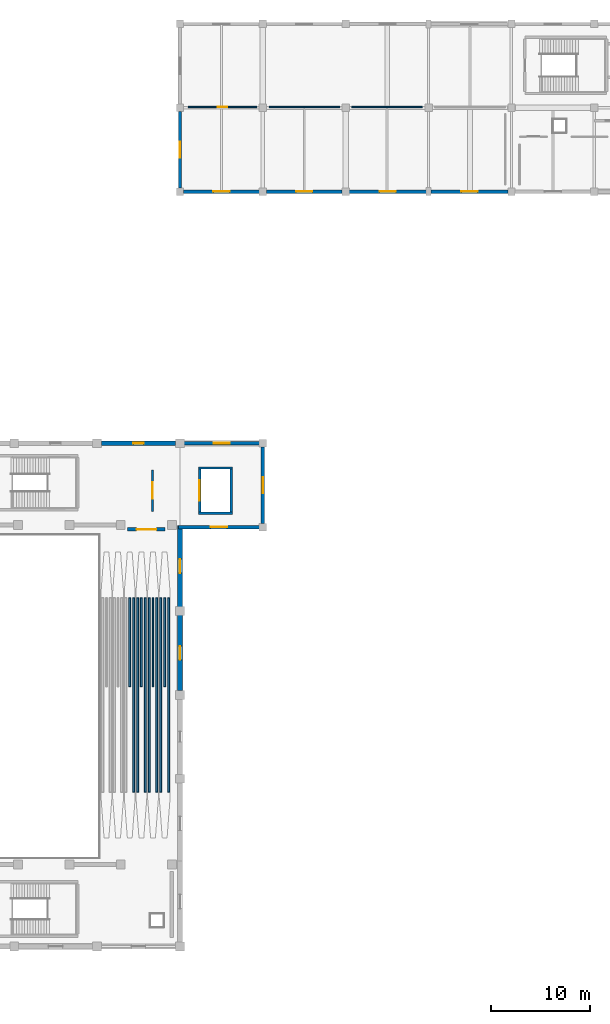
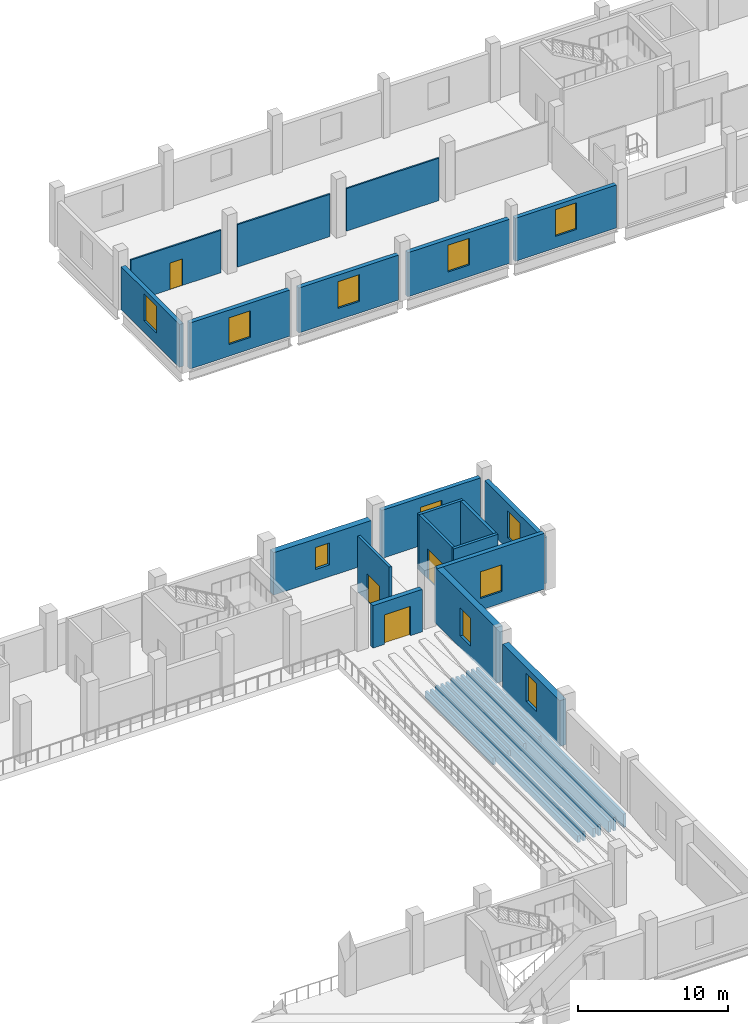
# One storey, part 65 of 77: 31 walls, 11 windows, 4 doors, 15 openings.
"""IFC4 building model written with IfcOpenShell, lengths in metres."""

from ifc_helpers import new_model, si_unit, direction, frame, frame_2d, origin, place, context, subcontext, project, spatial, rectangle, extrude, material, layer, layer_set, type_object, element, fill, save


model = new_model("IFC4")

# Units and contexts
model_context = context("Model", 3, precision=1e-05, world=origin(), true_north=direction((0.0, 1.0)))
body_context = subcontext(model_context, "Body", "Model", "MODEL_VIEW")
ifc_project = project(units=[si_unit("LENGTHUNIT", "METRE"), si_unit("AREAUNIT", "SQUARE_METRE"), si_unit("VOLUMEUNIT", "CUBIC_METRE"), si_unit("PLANEANGLEUNIT", "RADIAN"), si_unit("MASSUNIT", "GRAM", prefix="KILO")], contexts=[model_context])

# Site, building, storey
site_placement = place(None, origin())
site = spatial("IfcSite", under=ifc_project, at=site_placement, CompositionType="ELEMENT")
building_placement = place(site_placement, origin())
building = spatial("IfcBuilding", under=site, at=building_placement, Name="Solvento Point Concert Hall", CompositionType="ELEMENT")
storey_placement = place(building_placement, frame((0.0, 0.0, 10.199951171875)))
storey = spatial("IfcBuildingStorey", under=building, at=storey_placement, Name="L02", CompositionType="ELEMENT", Elevation=10.199951171875)

# Wall, opening, door
ifc_material_1 = material(Name="Acoustic Double-Stud Gypsum Partition")
ifc_layer_1 = layer(ifc_material_1, 0.1201171875)
ifc_layer_set_1 = layer_set([ifc_layer_1], Name="Acoustic Double-Stud Gypsum Partition")
wall_type_1 = type_object("IfcWallType", Name="AcousticPartition_120", PredefinedType="PARTITIONING", material=ifc_layer_set_1)
wall_1_placement = place(storey_placement, frame((134.02001953125, 127.580078125, 0.0), z_axis=(0.0, 0.0, 1.0), x_axis=(1.0, 0.0, 0.0)))
wall_1 = element("IfcWall", 1, at=wall_1_placement, inside=storey, type_object=wall_type_1, Name="Interior acoustic partition PW-52 L02", PredefinedType="PARTITIONING", context=body_context, shape_type="SweptSolid", body=[
    extrude(rectangle(XDim=6.955078125, YDim=0.1201171875, at=frame_2d((3.4775390625, 0.0))), origin(), (0.0, 0.0, 1.0), 3.4599609375),
])
opening_1_placement = place(wall_1_placement, frame((2.987548828125, 0.0, 0.0)))
opening_1 = element("IfcOpeningElement", 2, at=opening_1_placement, cuts=wall_1, Name="Opening DR-89", PredefinedType="OPENING", context=body_context, shape_type="SweptSolid", body=[
    extrude(rectangle(XDim=0.97998046875, YDim=2.159912109375, at=frame_2d((0.489990234375, 1.080078125))), frame((0.0, 0.070068359375, 0.0), z_axis=(0.0, -1.0, 0.0), x_axis=(1.0, 0.0, 0.0)), (0.0, 0.0, 1.0), 0.14013671875),
])
ifc_material_2 = material(Name="Brazilian Hardwood Acoustic Door", Category="wood")
door_type_1 = type_object("IfcDoorType", Name="IntDoor_AdminOffice", OperationType="NOTDEFINED", PredefinedType="DOOR", material=ifc_material_2)
door_1_placement = place(opening_1_placement, origin())
door_1 = element("IfcDoor", 3, at=door_1_placement, inside=storey, type_object=door_type_1, Name="Interior door DR-89 L02", OperationType="SINGLE_SWING_LEFT", OverallHeight=2.159912109375, OverallWidth=0.97998046875, PredefinedType="DOOR", context=body_context, shape_type="SweptSolid", body=[
    extrude(rectangle(XDim=0.97998046875, YDim=2.159912109375, at=frame_2d((0.489990234375, 1.080078125))), frame((0.0, 0.02490234375, 0.0), z_axis=(0.0, -1.0, 0.0), x_axis=(1.0, 0.0, 0.0)), (0.0, 0.0, 1.0), 0.050048828125),
])
fill(opening_1, door_1)

# Walls
for number, where, z_axis, x_axis, name in (
    (4, (142.22509765625, 127.580078125, 0.0), (0.0, 0.0, 1.0), (1.0, 0.0, 0.0), "Interior acoustic partition PW-52 L02"),
    (5, (150.625, 127.580078125, 0.0), (0.0, 0.0, 1.0), (1.0, 0.0, 0.0), "Interior acoustic partition PW-52 L02"),
):
    element("IfcWall", number, at=place(storey_placement, frame(where, z_axis=z_axis, x_axis=x_axis)), inside=storey, type_object=wall_type_1, Name=name, PredefinedType="PARTITIONING", context=body_context, shape_type="SweptSolid", body=[
        extrude(rectangle(XDim=7.14990234375, YDim=0.1201171875, at=frame_2d((3.574951171875, 0.0))), origin(), (0.0, 0.0, 1.0), 3.4599609375),
    ])

# Wall, opening, door
ifc_material_3 = material(Name="Acoustic Double-Stud Gypsum Partition")
ifc_layer_2 = layer(ifc_material_3, 0.2080078125)
ifc_layer_set_2 = layer_set([ifc_layer_2], Name="Acoustic Double-Stud Gypsum Partition")
wall_type_2 = type_object("IfcWallType", Name="AcousticPartition_208", PredefinedType="PARTITIONING", material=ifc_layer_set_2)
wall_2_placement = place(storey_placement, frame((130.39990234375, 90.800048828125, 0.0), z_axis=(0.0, 0.0, 1.0), x_axis=(0.0, -1.0, 0.0)))
wall_2 = element("IfcWall", 6, at=wall_2_placement, inside=storey, type_object=wall_type_2, Name="Lift lobby partition LG-01 L02", PredefinedType="PARTITIONING", context=body_context, shape_type="SweptSolid", body=[
    extrude(rectangle(XDim=4.199951171875, YDim=0.2080078125, at=frame_2d((2.10009765625, 0.0))), origin(), (0.0, 0.0, 1.0), 4.5400390625),
])
opening_2_placement = place(wall_2_placement, frame((1.27490234375, 0.0, 0.0)))
opening_2 = element("IfcOpeningElement", 7, at=opening_2_placement, cuts=wall_2, Name="Opening D-FL1", PredefinedType="OPENING", context=body_context, shape_type="SweptSolid", body=[
    extrude(rectangle(XDim=1.64990234375, YDim=2.199951171875, at=frame_2d((0.824951171875, 1.10009765625))), frame((0.0, 0.114013671875, 0.0), z_axis=(0.0, -1.0, 0.0), x_axis=(1.0, 0.0, 0.0)), (0.0, 0.0, 1.0), 0.22802734375),
])
ifc_material_4 = material(Name="Hollow Metal Acoustic Fire Door")
door_type_2 = type_object("IfcDoorType", Name="FireLobbyDoor_1600", OperationType="DOUBLE_DOOR_SINGLE_SWING", PredefinedType="DOOR", material=ifc_material_4)
door_2_placement = place(opening_2_placement, origin())
door_2 = element("IfcDoor", 8, at=door_2_placement, inside=storey, type_object=door_type_2, Name="Lift lobby door LG-01 L02", OperationType="DOUBLE_DOOR_SINGLE_SWING", OverallHeight=2.199951171875, OverallWidth=1.64990234375, PredefinedType="DOOR", context=body_context, shape_type="SweptSolid", body=[
    extrude(rectangle(XDim=1.64990234375, YDim=2.199951171875, at=frame_2d((0.824951171875, 1.10009765625))), frame((0.0, 0.02490234375, 0.0), z_axis=(0.0, -1.0, 0.0), x_axis=(1.0, 0.0, 0.0)), (0.0, 0.0, 1.0), 0.050048828125),
])
fill(opening_2, door_2)

ifc_material_5 = material(Name="Acoustic Double-Stud Gypsum Partition")
ifc_layer_3 = layer(ifc_material_5, 0.364990234375)
ifc_layer_set_3 = layer_set([ifc_layer_3], Name="Acoustic Double-Stud Gypsum Partition")
wall_type_3 = type_object("IfcWallType", Name="AcousticPartition_365", PredefinedType="PARTITIONING", material=ifc_layer_set_3)
wall_3_placement = place(storey_placement, frame((131.699951171875, 84.780029296875, 0.0), z_axis=(0.0, 0.0, 1.0), x_axis=(-1.0, 0.0, 0.0)))
wall_3 = element("IfcWall", 9, at=wall_3_placement, inside=storey, type_object=wall_type_3, Name="Interior acoustic partition PW-43 L02", PredefinedType="PARTITIONING", context=body_context, shape_type="SweptSolid", body=[
    extrude(rectangle(XDim=3.800048828125, YDim=0.364990234375, at=frame_2d((1.89990234375, 0.0))), origin(), (0.0, 0.0, 1.0), 3.4599609375),
])
opening_3_placement = place(wall_3_placement, frame((0.89990234375, 0.0, 0.0)))
opening_3 = element("IfcOpeningElement", 10, at=opening_3_placement, cuts=wall_3, Name="Opening D-AC1", PredefinedType="OPENING", context=body_context, shape_type="SweptSolid", body=[
    extrude(rectangle(XDim=2.0, YDim=2.39990234375, at=frame_2d((1.0, 1.199951171875))), frame((0.0, 0.1923828125, 0.0), z_axis=(0.0, -1.0, 0.0), x_axis=(1.0, 0.0, 0.0)), (0.0, 0.0, 1.0), 0.385009765625),
])
ifc_material_6 = material(Name="Brazilian Hardwood Acoustic Door", Category="wood")
door_type_3 = type_object("IfcDoorType", Name="AcousticLockDoor_2000", OperationType="DOUBLE_DOOR_SINGLE_SWING", PredefinedType="DOOR", material=ifc_material_6)
door_3_placement = place(opening_3_placement, origin())
door_3 = element("IfcDoor", 11, at=door_3_placement, inside=storey, type_object=door_type_3, Name="Interior door D-AC1 L02", OperationType="SINGLE_SWING_RIGHT", OverallHeight=2.39990234375, OverallWidth=2.0, PredefinedType="DOOR", context=body_context, shape_type="SweptSolid", body=[
    extrude(rectangle(XDim=2.0, YDim=2.39990234375, at=frame_2d((1.0, 1.199951171875))), frame((0.0, 0.02490234375, 0.0), z_axis=(0.0, -1.0, 0.0), x_axis=(1.0, 0.0, 0.0)), (0.0, 0.0, 1.0), 0.050048828125),
])
fill(opening_3, door_3)

# Walls
ifc_material_7 = material(Name="Concrete C40/50", Category="concrete")
ifc_layer_4 = layer(ifc_material_7, 0.300048828125)
ifc_layer_set_4 = layer_set([ifc_layer_4], Name="Concrete C40/50")
wall_type_4 = type_object("IfcWallType", Name="CoreShearWall_300", PredefinedType="SHEAR", material=ifc_layer_set_4)
for number, where, z_axis, x_axis, name in (
    (12, (135.090087890625, 86.39990234375, 0.0), (0.0, 0.0, 1.0), (1.0, 0.0, 0.0), "Elevator shaft shear wall W-SH1 LG-01 L02"),
    (13, (135.090087890625, 91.0, 0.0), (0.0, 0.0, 1.0), (1.0, 0.0, 0.0), "Elevator shaft shear wall W-SH1 LG-01 L02"),
):
    element("IfcWall", number, at=place(storey_placement, frame(where, z_axis=z_axis, x_axis=x_axis)), inside=storey, type_object=wall_type_4, Name=name, PredefinedType="SHEAR", context=body_context, shape_type="SweptSolid", body=[
        extrude(rectangle(XDim=3.419921875, YDim=0.219970703125, at=frame_2d((1.7099609375, 0.0))), origin(), (0.0, 0.0, 1.0), 4.5400390625),
    ])

# Wall, opening, door
wall_4_placement = place(storey_placement, frame((135.199951171875, 86.510009765625, 0.0), z_axis=(0.0, 0.0, 1.0), x_axis=(0.0, 1.0, 0.0)))
wall_4 = element("IfcWall", 14, at=wall_4_placement, inside=storey, type_object=wall_type_4, Name="Elevator shaft shear wall W-SH1 LG-01 L02", PredefinedType="SHEAR", context=body_context, shape_type="SweptSolid", body=[
    extrude(rectangle(XDim=4.3798828125, YDim=0.219970703125, at=frame_2d((2.18994140625, 0.0))), origin(), (0.0, 0.0, 1.0), 4.5400390625),
])
opening_4_placement = place(wall_4_placement, frame((1.139892578125, 0.0, 0.0)))
opening_4 = element("IfcOpeningElement", 15, at=opening_4_placement, cuts=wall_4, Name="Opening LD-03", PredefinedType="OPENING", context=body_context, shape_type="SweptSolid", body=[
    extrude(rectangle(XDim=2.10009765625, YDim=2.449951171875, at=frame_2d((1.050048828125, 1.22509765625))), frame((0.0, 0.119873046875, 0.0), z_axis=(0.0, -1.0, 0.0), x_axis=(1.0, 0.0, 0.0)), (0.0, 0.0, 1.0), 0.239990234375),
])
ifc_material_8 = material(Name="Hollow Metal Acoustic Fire Door")
door_type_4 = type_object("IfcDoorType", Name="LiftLandingDoor_Goods", OperationType="DOUBLE_DOOR_SLIDING", PredefinedType="DOOR", material=ifc_material_8)
door_4_placement = place(opening_4_placement, origin())
door_4 = element("IfcDoor", 16, at=door_4_placement, inside=storey, type_object=door_type_4, Name="Elevator landing door LG-01 L02", OperationType="DOUBLE_DOOR_SLIDING", OverallHeight=2.449951171875, OverallWidth=2.10009765625, PredefinedType="DOOR", context=body_context, shape_type="SweptSolid", body=[
    extrude(rectangle(XDim=2.10009765625, YDim=2.449951171875, at=frame_2d((1.050048828125, 1.22509765625))), frame((0.0, 0.02490234375, 0.0), z_axis=(0.0, -1.0, 0.0), x_axis=(1.0, 0.0, 0.0)), (0.0, 0.0, 1.0), 0.050048828125),
])
fill(opening_4, door_4)

# Wall
wall_5_placement = place(storey_placement, frame((138.39990234375, 86.510009765625, 0.0), z_axis=(0.0, 0.0, 1.0), x_axis=(0.0, 1.0, 0.0)))
element("IfcWall", 17, at=wall_5_placement, inside=storey, type_object=wall_type_4, Name="Elevator shaft shear wall W-SH1 LG-01 L02", PredefinedType="SHEAR", context=body_context, shape_type="SweptSolid", body=[
    extrude(rectangle(XDim=4.3798828125, YDim=0.219970703125, at=frame_2d((2.18994140625, 0.0))), origin(), (0.0, 0.0, 1.0), 4.5400390625),
])

# Wall, opening, window
ifc_material_9 = material(Name="Concrete C40/50", Category="concrete")
ifc_layer_5 = layer(ifc_material_9, 0.47998046875)
ifc_layer_set_5 = layer_set([ifc_layer_5], Name="Concrete C40/50")
wall_type_5 = type_object("IfcWallType", Name="ExtWall_V1_Drum_480", PredefinedType="SOLIDWALL", material=ifc_layer_set_5)
wall_6_placement = place(storey_placement, frame((125.22998046875, 93.5, 0.0), z_axis=(0.0, 0.0, 1.0), x_axis=(1.0, 0.0, 0.0)))
wall_6 = element("IfcWall", 18, at=wall_6_placement, inside=storey, type_object=wall_type_5, Name="Exterior architectural concrete wall EW-46 L02", PredefinedType="SOLIDWALL", context=body_context, shape_type="SweptSolid", body=[
    extrude(rectangle(XDim=7.5400390625, YDim=0.47998046875, at=frame_2d((3.77001953125, 0.0))), origin(), (0.0, 0.0, 1.0), 3.444091796875),
])
opening_5_placement = place(wall_6_placement, frame((3.2451171875, 0.0, 0.949951171875)))
opening_5 = element("IfcOpeningElement", 19, at=opening_5_placement, cuts=wall_6, Name="Opening WN-89", PredefinedType="OPENING", context=body_context, shape_type="SweptSolid", body=[
    extrude(rectangle(XDim=1.050048828125, YDim=1.800048828125, at=frame_2d((0.52490234375, 0.89990234375))), frame((0.0, 0.25, 0.0), z_axis=(0.0, -1.0, 0.0), x_axis=(1.0, 0.0, 0.0)), (0.0, 0.0, 1.0), 0.5),
])
ifc_material_10 = material(Name="Hurricane Laminated Low-E Glass", Category="glass")
window_type_1 = type_object("IfcWindowType", Name="Win_NarrowPier_1050", PartitioningType="SINGLE_PANEL", PredefinedType="WINDOW", material=ifc_material_10)
window_1_placement = place(opening_5_placement, origin())
window_1 = element("IfcWindow", 20, at=window_1_placement, inside=storey, type_object=window_type_1, Name="Impact acoustic window WN-89", OverallHeight=1.800048828125, OverallWidth=1.050048828125, PartitioningType="SINGLE_PANEL", PredefinedType="WINDOW", context=body_context, shape_type="SweptSolid", body=[
    extrude(rectangle(XDim=1.050048828125, YDim=1.800048828125, at=frame_2d((0.52490234375, 0.89990234375))), frame((0.0, 0.030029296875, 0.0), z_axis=(0.0, -1.0, 0.0), x_axis=(1.0, 0.0, 0.0)), (0.0, 0.0, 1.0), 0.06005859375),
])
fill(opening_5, window_1)

wall_7_placement = place(storey_placement, frame((133.199951171875, 76.070068359375, 0.0), z_axis=(0.0, 0.0, 1.0), x_axis=(0.0, -1.0, 0.0)))
wall_7 = element("IfcWall", 21, at=wall_7_placement, inside=storey, type_object=wall_type_5, Name="Exterior architectural concrete wall EW-46 L02", PredefinedType="SOLIDWALL", context=body_context, shape_type="SweptSolid", body=[
    extrude(rectangle(XDim=7.64013671875, YDim=0.47998046875, at=frame_2d((3.820068359375, 0.0))), origin(), (0.0, 0.0, 1.0), 3.736083984375),
])
opening_6_placement = place(wall_7_placement, frame((3.1201171875, 0.0, 0.949951171875)))
opening_6 = element("IfcOpeningElement", 22, at=opening_6_placement, cuts=wall_7, Name="Opening WN-33", PredefinedType="OPENING", context=body_context, shape_type="SweptSolid", body=[
    extrude(rectangle(XDim=1.39990234375, YDim=2.300048828125, at=frame_2d((0.699951171875, 1.14990234375))), frame((0.0, 0.25, 0.0), z_axis=(0.0, -1.0, 0.0), x_axis=(1.0, 0.0, 0.0)), (0.0, 0.0, 1.0), 0.5),
])
ifc_material_11 = material(Name="Hurricane Laminated Low-E Glass", Category="glass")
window_type_2 = type_object("IfcWindowType", Name="Win_V1_ParterreSlot_L02", PartitioningType="SINGLE_PANEL", PredefinedType="WINDOW", material=ifc_material_11)
window_2_placement = place(opening_6_placement, origin())
window_2 = element("IfcWindow", 23, at=window_2_placement, inside=storey, type_object=window_type_2, Name="Impact acoustic window WN-33", OverallHeight=2.300048828125, OverallWidth=1.39990234375, PartitioningType="SINGLE_PANEL", PredefinedType="WINDOW", context=body_context, shape_type="SweptSolid", body=[
    extrude(rectangle(XDim=1.39990234375, YDim=2.300048828125, at=frame_2d((0.699951171875, 1.14990234375))), frame((0.0, 0.030029296875, 0.0), z_axis=(0.0, -1.0, 0.0), x_axis=(1.0, 0.0, 0.0)), (0.0, 0.0, 1.0), 0.06005859375),
])
fill(opening_6, window_2)

wall_8_placement = place(storey_placement, frame((133.199951171875, 85.159912109375, 0.0), z_axis=(0.0, 0.0, 1.0), x_axis=(0.0, -1.0, 0.0)))
wall_8 = element("IfcWall", 24, at=wall_8_placement, inside=storey, type_object=wall_type_5, Name="Exterior architectural concrete wall EW-46 L02", PredefinedType="SOLIDWALL", context=body_context, shape_type="SweptSolid", body=[
    extrude(rectangle(XDim=8.22998046875, YDim=0.47998046875, at=frame_2d((4.114990234375, 0.0))), origin(), (0.0, 0.0, 1.0), 4.5400390625),
])
opening_7_placement = place(wall_8_placement, frame((3.4150390625, 0.0, 0.949951171875)))
opening_7 = element("IfcOpeningElement", 25, at=opening_7_placement, cuts=wall_8, Name="Opening WN-33", PredefinedType="OPENING", context=body_context, shape_type="SweptSolid", body=[
    extrude(rectangle(XDim=1.39990234375, YDim=2.300048828125, at=frame_2d((0.699951171875, 1.14990234375))), frame((0.0, 0.25, 0.0), z_axis=(0.0, -1.0, 0.0), x_axis=(1.0, 0.0, 0.0)), (0.0, 0.0, 1.0), 0.5),
])
window_3_placement = place(opening_7_placement, origin())
window_3 = element("IfcWindow", 26, at=window_3_placement, inside=storey, type_object=window_type_2, Name="Impact acoustic window WN-33", OverallHeight=2.300048828125, OverallWidth=1.39990234375, PartitioningType="SINGLE_PANEL", PredefinedType="WINDOW", context=body_context, shape_type="SweptSolid", body=[
    extrude(rectangle(XDim=1.39990234375, YDim=2.300048828125, at=frame_2d((0.699951171875, 1.14990234375))), frame((0.0, 0.030029296875, 0.0), z_axis=(0.0, -1.0, 0.0), x_axis=(1.0, 0.0, 0.0)), (0.0, 0.0, 1.0), 0.06005859375),
])
fill(opening_7, window_3)

ifc_material_12 = material(Name="Concrete C35/45", Category="concrete")
ifc_layer_6 = layer(ifc_material_12, 0.330078125)
ifc_layer_set_6 = layer_set([ifc_layer_6], Name="Concrete C35/45")
wall_type_6 = type_object("IfcWallType", Name="ExtWall_V5_Plinth_330", PredefinedType="SOLIDWALL", material=ifc_layer_set_6)
wall_9_placement = place(storey_placement, frame((141.2451171875, 119.0, 0.0), z_axis=(0.0, 0.0, 1.0), x_axis=(-1.0, 0.0, 0.0)))
wall_9 = element("IfcWall", 27, at=wall_9_placement, inside=storey, type_object=wall_type_6, Name="Exterior architectural concrete wall EW-72 L02", PredefinedType="SOLIDWALL", context=body_context, shape_type="SweptSolid", body=[
    extrude(rectangle(XDim=7.690185546875, YDim=0.330078125, at=frame_2d((3.84521484375, 0.0))), origin(), (0.0, 0.0, 1.0), 3.754150390625),
])
opening_8_placement = place(wall_9_placement, frame((3.02001953125, 0.0, 0.949951171875)))
opening_8 = element("IfcOpeningElement", 28, at=opening_8_placement, cuts=wall_9, Name="Opening WN-22", PredefinedType="OPENING", context=body_context, shape_type="SweptSolid", body=[
    extrude(rectangle(XDim=1.64990234375, YDim=2.179931640625, at=frame_2d((0.824951171875, 1.08984375))), frame((0.0, 0.175048828125, 0.0), z_axis=(0.0, -1.0, 0.0), x_axis=(1.0, 0.0, 0.0)), (0.0, 0.0, 1.0), 0.35009765625),
])
ifc_material_13 = material(Name="Hurricane Laminated Low-E Glass", Category="glass")
window_type_3 = type_object("IfcWindowType", Name="Win_V5_ChorusDress_L02", PartitioningType="SINGLE_PANEL", PredefinedType="WINDOW", material=ifc_material_13)
window_4_placement = place(opening_8_placement, origin())
window_4 = element("IfcWindow", 29, at=window_4_placement, inside=storey, type_object=window_type_3, Name="Impact acoustic window WN-22", OverallHeight=2.179931640625, OverallWidth=1.64990234375, PartitioningType="SINGLE_PANEL", PredefinedType="WINDOW", context=body_context, shape_type="SweptSolid", body=[
    extrude(rectangle(XDim=1.64990234375, YDim=2.179931640625, at=frame_2d((0.824951171875, 1.08984375))), frame((0.0, 0.030029296875, 0.0), z_axis=(0.0, -1.0, 0.0), x_axis=(1.0, 0.0, 0.0)), (0.0, 0.0, 1.0), 0.06005859375),
])
fill(opening_8, window_4)

wall_10_placement = place(storey_placement, frame((149.64501953125, 119.0, 0.0), z_axis=(0.0, 0.0, 1.0), x_axis=(-1.0, 0.0, 0.0)))
wall_10 = element("IfcWall", 30, at=wall_10_placement, inside=storey, type_object=wall_type_6, Name="Exterior architectural concrete wall EW-72 L02", PredefinedType="SOLIDWALL", context=body_context, shape_type="SweptSolid", body=[
    extrude(rectangle(XDim=7.68994140625, YDim=0.330078125, at=frame_2d((3.844970703125, 0.0))), origin(), (0.0, 0.0, 1.0), 3.6650390625),
])
opening_9_placement = place(wall_10_placement, frame((3.02001953125, 0.0, 0.949951171875)))
opening_9 = element("IfcOpeningElement", 31, at=opening_9_placement, cuts=wall_10, Name="Opening WN-22", PredefinedType="OPENING", context=body_context, shape_type="SweptSolid", body=[
    extrude(rectangle(XDim=1.64990234375, YDim=2.179931640625, at=frame_2d((0.824951171875, 1.08984375))), frame((0.0, 0.175048828125, 0.0), z_axis=(0.0, -1.0, 0.0), x_axis=(1.0, 0.0, 0.0)), (0.0, 0.0, 1.0), 0.35009765625),
])
window_5_placement = place(opening_9_placement, origin())
window_5 = element("IfcWindow", 32, at=window_5_placement, inside=storey, type_object=window_type_3, Name="Impact acoustic window WN-22", OverallHeight=2.179931640625, OverallWidth=1.64990234375, PartitioningType="SINGLE_PANEL", PredefinedType="WINDOW", context=body_context, shape_type="SweptSolid", body=[
    extrude(rectangle(XDim=1.64990234375, YDim=2.179931640625, at=frame_2d((0.824951171875, 1.08984375))), frame((0.0, 0.030029296875, 0.0), z_axis=(0.0, -1.0, 0.0), x_axis=(1.0, 0.0, 0.0)), (0.0, 0.0, 1.0), 0.06005859375),
])
fill(opening_9, window_5)

wall_11_placement = place(storey_placement, frame((158.169921875, 119.0, 0.0), z_axis=(0.0, 0.0, 1.0), x_axis=(-1.0, 0.0, 0.0)))
wall_11 = element("IfcWall", 33, at=wall_11_placement, inside=storey, type_object=wall_type_6, Name="Exterior architectural concrete wall EW-72 L02", PredefinedType="SOLIDWALL", context=body_context, shape_type="SweptSolid", body=[
    extrude(rectangle(XDim=7.81494140625, YDim=0.330078125, at=frame_2d((3.907470703125, 0.0))), origin(), (0.0, 0.0, 1.0), 3.59716796875),
])
opening_10_placement = place(wall_11_placement, frame((3.08251953125, 0.0, 0.949951171875)))
opening_10 = element("IfcOpeningElement", 34, at=opening_10_placement, cuts=wall_11, Name="Opening WN-22", PredefinedType="OPENING", context=body_context, shape_type="SweptSolid", body=[
    extrude(rectangle(XDim=1.64990234375, YDim=2.179931640625, at=frame_2d((0.824951171875, 1.08984375))), frame((0.0, 0.175048828125, 0.0), z_axis=(0.0, -1.0, 0.0), x_axis=(1.0, 0.0, 0.0)), (0.0, 0.0, 1.0), 0.35009765625),
])
window_6_placement = place(opening_10_placement, origin())
window_6 = element("IfcWindow", 35, at=window_6_placement, inside=storey, type_object=window_type_3, Name="Impact acoustic window WN-22", OverallHeight=2.179931640625, OverallWidth=1.64990234375, PartitioningType="SINGLE_PANEL", PredefinedType="WINDOW", context=body_context, shape_type="SweptSolid", body=[
    extrude(rectangle(XDim=1.64990234375, YDim=2.179931640625, at=frame_2d((0.824951171875, 1.08984375))), frame((0.0, 0.030029296875, 0.0), z_axis=(0.0, -1.0, 0.0), x_axis=(1.0, 0.0, 0.0)), (0.0, 0.0, 1.0), 0.06005859375),
])
fill(opening_10, window_6)

wall_12_placement = place(storey_placement, frame((166.445068359375, 119.0, 0.0), z_axis=(0.0, 0.0, 1.0), x_axis=(-1.0, 0.0, 0.0)))
wall_12 = element("IfcWall", 36, at=wall_12_placement, inside=storey, type_object=wall_type_6, Name="Exterior architectural concrete wall EW-72 L02", PredefinedType="SOLIDWALL", context=body_context, shape_type="SweptSolid", body=[
    extrude(rectangle(XDim=7.815185546875, YDim=0.330078125, at=frame_2d((3.90771484375, 0.0))), origin(), (0.0, 0.0, 1.0), 3.498046875),
])
opening_11_placement = place(wall_12_placement, frame((3.08251953125, 0.0, 0.949951171875)))
opening_11 = element("IfcOpeningElement", 37, at=opening_11_placement, cuts=wall_12, Name="Opening WN-22", PredefinedType="OPENING", context=body_context, shape_type="SweptSolid", body=[
    extrude(rectangle(XDim=1.64990234375, YDim=2.179931640625, at=frame_2d((0.824951171875, 1.08984375))), frame((0.0, 0.175048828125, 0.0), z_axis=(0.0, -1.0, 0.0), x_axis=(1.0, 0.0, 0.0)), (0.0, 0.0, 1.0), 0.35009765625),
])
window_7_placement = place(opening_11_placement, origin())
window_7 = element("IfcWindow", 38, at=window_7_placement, inside=storey, type_object=window_type_3, Name="Impact acoustic window WN-22", OverallHeight=2.179931640625, OverallWidth=1.64990234375, PartitioningType="SINGLE_PANEL", PredefinedType="WINDOW", context=body_context, shape_type="SweptSolid", body=[
    extrude(rectangle(XDim=1.64990234375, YDim=2.179931640625, at=frame_2d((0.824951171875, 1.08984375))), frame((0.0, 0.030029296875, 0.0), z_axis=(0.0, -1.0, 0.0), x_axis=(1.0, 0.0, 0.0)), (0.0, 0.0, 1.0), 0.06005859375),
])
fill(opening_11, window_7)

wall_13_placement = place(storey_placement, frame((133.199951171875, 119.35498046875, 0.0), z_axis=(0.0, 0.0, 1.0), x_axis=(0.0, 1.0, 0.0)))
wall_13 = element("IfcWall", 39, at=wall_13_placement, inside=storey, type_object=wall_type_6, Name="Exterior architectural concrete wall EW-72 L02", PredefinedType="SOLIDWALL", context=body_context, shape_type="SweptSolid", body=[
    extrude(rectangle(XDim=7.7900390625, YDim=0.330078125, at=frame_2d((3.89501953125, 0.0))), origin(), (0.0, 0.0, 1.0), 3.498046875),
])
opening_12_placement = place(wall_13_placement, frame((3.070068359375, 0.0, 0.949951171875)))
opening_12 = element("IfcOpeningElement", 40, at=opening_12_placement, cuts=wall_13, Name="Opening WN-22", PredefinedType="OPENING", context=body_context, shape_type="SweptSolid", body=[
    extrude(rectangle(XDim=1.64990234375, YDim=2.179931640625, at=frame_2d((0.824951171875, 1.08984375))), frame((0.0, 0.175048828125, 0.0), z_axis=(0.0, -1.0, 0.0), x_axis=(1.0, 0.0, 0.0)), (0.0, 0.0, 1.0), 0.35009765625),
])
window_8_placement = place(opening_12_placement, origin())
window_8 = element("IfcWindow", 41, at=window_8_placement, inside=storey, type_object=window_type_3, Name="Impact acoustic window WN-22", OverallHeight=2.179931640625, OverallWidth=1.64990234375, PartitioningType="SINGLE_PANEL", PredefinedType="WINDOW", context=body_context, shape_type="SweptSolid", body=[
    extrude(rectangle(XDim=1.64990234375, YDim=2.179931640625, at=frame_2d((0.824951171875, 1.08984375))), frame((0.0, 0.030029296875, 0.0), z_axis=(0.0, -1.0, 0.0), x_axis=(1.0, 0.0, 0.0)), (0.0, 0.0, 1.0), 0.06005859375),
])
fill(opening_12, window_8)

wall_14_placement = place(storey_placement, frame((133.6298828125, 93.5, 0.0), z_axis=(0.0, 0.0, 1.0), x_axis=(1.0, 0.0, 0.0)))
wall_14 = element("IfcWall", 42, at=wall_14_placement, inside=storey, type_object=wall_type_6, Name="Exterior architectural concrete wall EW-72 L02", PredefinedType="SOLIDWALL", context=body_context, shape_type="SweptSolid", body=[
    extrude(rectangle(XDim=7.615234375, YDim=0.330078125, at=frame_2d((3.8076171875, 0.0))), origin(), (0.0, 0.0, 1.0), 3.916015625),
])
opening_13_placement = place(wall_14_placement, frame((2.982421875, 0.0, 0.949951171875)))
opening_13 = element("IfcOpeningElement", 43, at=opening_13_placement, cuts=wall_14, Name="Opening WN-22", PredefinedType="OPENING", context=body_context, shape_type="SweptSolid", body=[
    extrude(rectangle(XDim=1.64990234375, YDim=2.179931640625, at=frame_2d((0.824951171875, 1.08984375))), frame((0.0, 0.175048828125, 0.0), z_axis=(0.0, -1.0, 0.0), x_axis=(1.0, 0.0, 0.0)), (0.0, 0.0, 1.0), 0.35009765625),
])
window_9_placement = place(opening_13_placement, origin())
window_9 = element("IfcWindow", 44, at=window_9_placement, inside=storey, type_object=window_type_3, Name="Impact acoustic window WN-22", OverallHeight=2.179931640625, OverallWidth=1.64990234375, PartitioningType="SINGLE_PANEL", PredefinedType="WINDOW", context=body_context, shape_type="SweptSolid", body=[
    extrude(rectangle(XDim=1.64990234375, YDim=2.179931640625, at=frame_2d((0.824951171875, 1.08984375))), frame((0.0, 0.030029296875, 0.0), z_axis=(0.0, -1.0, 0.0), x_axis=(1.0, 0.0, 0.0)), (0.0, 0.0, 1.0), 0.06005859375),
])
fill(opening_13, window_9)

wall_15_placement = place(storey_placement, frame((141.60009765625, 93.14501953125, 0.0), z_axis=(0.0, 0.0, 1.0), x_axis=(0.0, -1.0, 0.0)))
wall_15 = element("IfcWall", 45, at=wall_15_placement, inside=storey, type_object=wall_type_6, Name="Exterior architectural concrete wall EW-72 L02", PredefinedType="SOLIDWALL", context=body_context, shape_type="SweptSolid", body=[
    extrude(rectangle(XDim=7.7900390625, YDim=0.330078125, at=frame_2d((3.89501953125, 0.0))), origin(), (0.0, 0.0, 1.0), 3.754150390625),
])
opening_14_placement = place(wall_15_placement, frame((3.070068359375, 0.0, 0.949951171875)))
opening_14 = element("IfcOpeningElement", 46, at=opening_14_placement, cuts=wall_15, Name="Opening WN-22", PredefinedType="OPENING", context=body_context, shape_type="SweptSolid", body=[
    extrude(rectangle(XDim=1.64990234375, YDim=2.179931640625, at=frame_2d((0.824951171875, 1.08984375))), frame((0.0, 0.175048828125, 0.0), z_axis=(0.0, -1.0, 0.0), x_axis=(1.0, 0.0, 0.0)), (0.0, 0.0, 1.0), 0.35009765625),
])
window_10_placement = place(opening_14_placement, origin())
window_10 = element("IfcWindow", 47, at=window_10_placement, inside=storey, type_object=window_type_3, Name="Impact acoustic window WN-22", OverallHeight=2.179931640625, OverallWidth=1.64990234375, PartitioningType="SINGLE_PANEL", PredefinedType="WINDOW", context=body_context, shape_type="SweptSolid", body=[
    extrude(rectangle(XDim=1.64990234375, YDim=2.179931640625, at=frame_2d((0.824951171875, 1.08984375))), frame((0.0, 0.030029296875, 0.0), z_axis=(0.0, -1.0, 0.0), x_axis=(1.0, 0.0, 0.0)), (0.0, 0.0, 1.0), 0.06005859375),
])
fill(opening_14, window_10)

wall_16_placement = place(storey_placement, frame((141.2451171875, 85.0, 0.0), z_axis=(0.0, 0.0, 1.0), x_axis=(-1.0, 0.0, 0.0)))
wall_16 = element("IfcWall", 48, at=wall_16_placement, inside=storey, type_object=wall_type_6, Name="Exterior architectural concrete wall EW-72 L02", PredefinedType="SOLIDWALL", context=body_context, shape_type="SweptSolid", body=[
    extrude(rectangle(XDim=8.205078125, YDim=0.330078125, at=frame_2d((4.1025390625, 0.0))), origin(), (0.0, 0.0, 1.0), 4.5400390625),
])
opening_15_placement = place(wall_16_placement, frame((3.277587890625, 0.0, 0.949951171875)))
opening_15 = element("IfcOpeningElement", 49, at=opening_15_placement, cuts=wall_16, Name="Opening WN-22", PredefinedType="OPENING", context=body_context, shape_type="SweptSolid", body=[
    extrude(rectangle(XDim=1.64990234375, YDim=2.179931640625, at=frame_2d((0.824951171875, 1.08984375))), frame((0.0, 0.175048828125, 0.0), z_axis=(0.0, -1.0, 0.0), x_axis=(1.0, 0.0, 0.0)), (0.0, 0.0, 1.0), 0.35009765625),
])
window_11_placement = place(opening_15_placement, origin())
window_11 = element("IfcWindow", 50, at=window_11_placement, inside=storey, type_object=window_type_3, Name="Impact acoustic window WN-22", OverallHeight=2.179931640625, OverallWidth=1.64990234375, PartitioningType="SINGLE_PANEL", PredefinedType="WINDOW", context=body_context, shape_type="SweptSolid", body=[
    extrude(rectangle(XDim=1.64990234375, YDim=2.179931640625, at=frame_2d((0.824951171875, 1.08984375))), frame((0.0, 0.030029296875, 0.0), z_axis=(0.0, -1.0, 0.0), x_axis=(1.0, 0.0, 0.0)), (0.0, 0.0, 1.0), 0.06005859375),
])
fill(opening_15, window_11)

# Walls
ifc_material_14 = material(Name="Concrete C35/45", Category="concrete")
ifc_layer_7 = layer(ifc_material_14, 0.25)
ifc_layer_set_7 = layer_set([ifc_layer_7], Name="Concrete C35/45")
wall_type_7 = type_object("IfcWallType", Name="TierSupportWall_250", PredefinedType="SHEAR", material=ifc_layer_set_7)
wall_17_placement = place(storey_placement, frame((128.5, 58.139892578125, 0.0), z_axis=(0.0, 0.0, 1.0), x_axis=(0.0, 1.0, 0.0)))
element("IfcWall", 51, at=wall_17_placement, inside=storey, type_object=wall_type_7, Name="Seating tier rear support wall W-TR1 TIER-L02-PAR-03", PredefinedType="SHEAR", context=body_context, shape_type="SweptSolid", body=[
    extrude(rectangle(XDim=19.72021484375, YDim=0.199951171875, at=frame_2d((9.860107421875, 0.0))), origin(), (0.0, 0.0, 1.0), 0.550048828125),
])
wall_18_placement = place(storey_placement, frame((128.110107421875, 68.800048828125, 0.0), z_axis=(0.0, 0.0, 1.0), x_axis=(0.0, 1.0, 0.0)))
element("IfcWall", 52, at=wall_18_placement, inside=storey, type_object=wall_type_7, Name="Seating tier spine support wall W-TR1 TIER-L02-PAR-03", PredefinedType="SHEAR", context=body_context, shape_type="SweptSolid", body=[
    extrude(rectangle(XDim=9.06005859375, YDim=0.179931640625, at=frame_2d((4.530029296875, 0.0))), origin(), (0.0, 0.0, 1.0), 0.550048828125),
])
for number, where, z_axis, x_axis, name in (
    (53, (128.89990234375, 58.139892578125, 0.0), (0.0, 0.0, 1.0), (0.0, 1.0, 0.0), "Seating tier riser support wall W-TR1 TIER-L02-PAR-04"),
    (54, (129.679931640625, 58.139892578125, 0.0), (0.0, 0.0, 1.0), (0.0, 1.0, 0.0), "Seating tier rear support wall W-TR1 TIER-L02-PAR-04"),
):
    element("IfcWall", number, at=place(storey_placement, frame(where, z_axis=z_axis, x_axis=x_axis)), inside=storey, type_object=wall_type_7, Name=name, PredefinedType="SHEAR", context=body_context, shape_type="SweptSolid", body=[
        extrude(rectangle(XDim=19.72021484375, YDim=0.199951171875, at=frame_2d((9.860107421875, 0.0))), origin(), (0.0, 0.0, 1.0), 0.72998046875),
    ])
wall_19_placement = place(storey_placement, frame((129.2900390625, 68.800048828125, 0.0), z_axis=(0.0, 0.0, 1.0), x_axis=(0.0, 1.0, 0.0)))
element("IfcWall", 55, at=wall_19_placement, inside=storey, type_object=wall_type_7, Name="Seating tier spine support wall W-TR1 TIER-L02-PAR-04", PredefinedType="SHEAR", context=body_context, shape_type="SweptSolid", body=[
    extrude(rectangle(XDim=9.06005859375, YDim=0.179931640625, at=frame_2d((4.530029296875, 0.0))), origin(), (0.0, 0.0, 1.0), 0.72998046875),
])
for number, where, z_axis, x_axis, name in (
    (56, (130.080078125, 58.139892578125, 0.0), (0.0, 0.0, 1.0), (0.0, 1.0, 0.0), "Seating tier riser support wall W-TR1 TIER-L02-PAR-05"),
    (57, (130.860107421875, 58.139892578125, 0.0), (0.0, 0.0, 1.0), (0.0, 1.0, 0.0), "Seating tier rear support wall W-TR1 TIER-L02-PAR-05"),
):
    element("IfcWall", number, at=place(storey_placement, frame(where, z_axis=z_axis, x_axis=x_axis)), inside=storey, type_object=wall_type_7, Name=name, PredefinedType="SHEAR", context=body_context, shape_type="SweptSolid", body=[
        extrude(rectangle(XDim=19.72021484375, YDim=0.199951171875, at=frame_2d((9.860107421875, 0.0))), origin(), (0.0, 0.0, 1.0), 0.91015625),
    ])
wall_20_placement = place(storey_placement, frame((130.469970703125, 68.800048828125, 0.0), z_axis=(0.0, 0.0, 1.0), x_axis=(0.0, 1.0, 0.0)))
element("IfcWall", 58, at=wall_20_placement, inside=storey, type_object=wall_type_7, Name="Seating tier spine support wall W-TR1 TIER-L02-PAR-05", PredefinedType="SHEAR", context=body_context, shape_type="SweptSolid", body=[
    extrude(rectangle(XDim=9.06005859375, YDim=0.179931640625, at=frame_2d((4.530029296875, 0.0))), origin(), (0.0, 0.0, 1.0), 0.91015625),
])
for number, where, z_axis, x_axis, name in (
    (59, (131.260009765625, 58.139892578125, 0.0), (0.0, 0.0, 1.0), (0.0, 1.0, 0.0), "Seating tier riser support wall W-TR1 TIER-L02-PAR-06"),
    (60, (132.0400390625, 58.139892578125, 0.0), (0.0, 0.0, 1.0), (0.0, 1.0, 0.0), "Seating tier rear support wall W-TR1 TIER-L02-PAR-06"),
):
    element("IfcWall", number, at=place(storey_placement, frame(where, z_axis=z_axis, x_axis=x_axis)), inside=storey, type_object=wall_type_7, Name=name, PredefinedType="SHEAR", context=body_context, shape_type="SweptSolid", body=[
        extrude(rectangle(XDim=19.72021484375, YDim=0.199951171875, at=frame_2d((9.860107421875, 0.0))), origin(), (0.0, 0.0, 1.0), 1.090087890625),
    ])
wall_21_placement = place(storey_placement, frame((131.64990234375, 68.800048828125, 0.0), z_axis=(0.0, 0.0, 1.0), x_axis=(0.0, 1.0, 0.0)))
element("IfcWall", 61, at=wall_21_placement, inside=storey, type_object=wall_type_7, Name="Seating tier spine support wall W-TR1 TIER-L02-PAR-06", PredefinedType="SHEAR", context=body_context, shape_type="SweptSolid", body=[
    extrude(rectangle(XDim=9.06005859375, YDim=0.179931640625, at=frame_2d((4.530029296875, 0.0))), origin(), (0.0, 0.0, 1.0), 1.090087890625),
])

save(model, "model.ifc")
